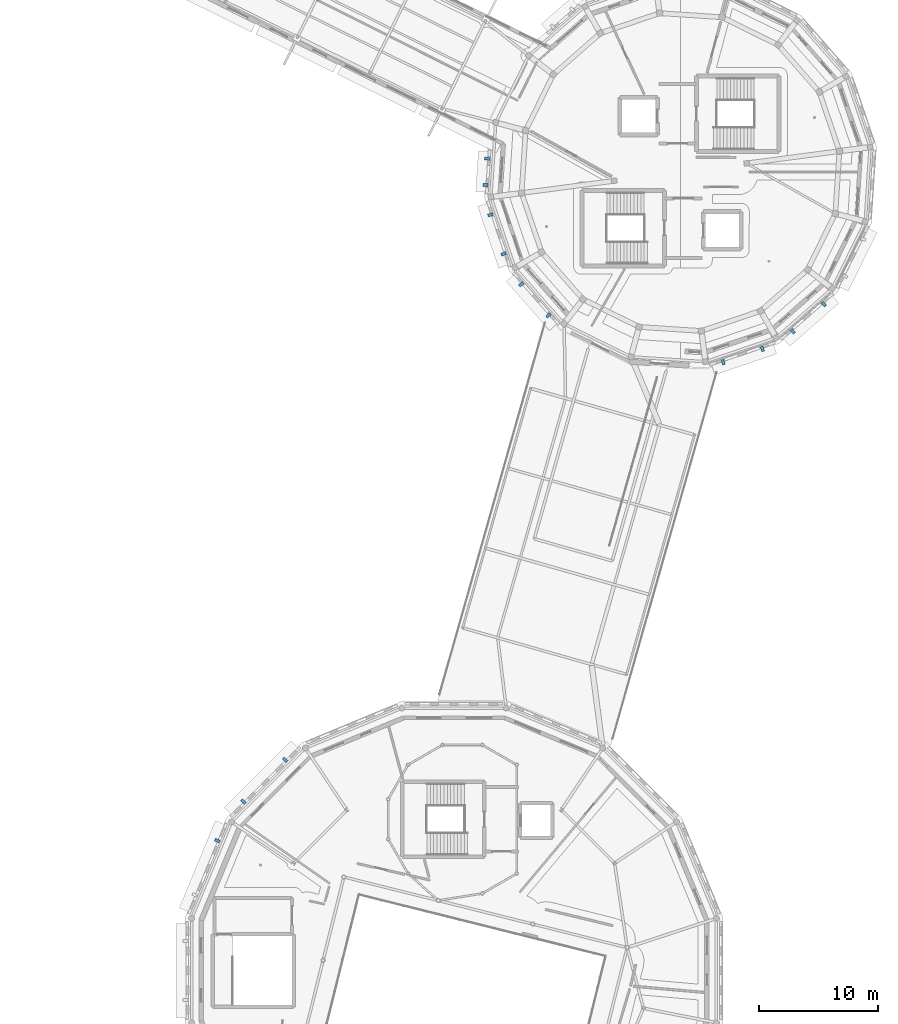
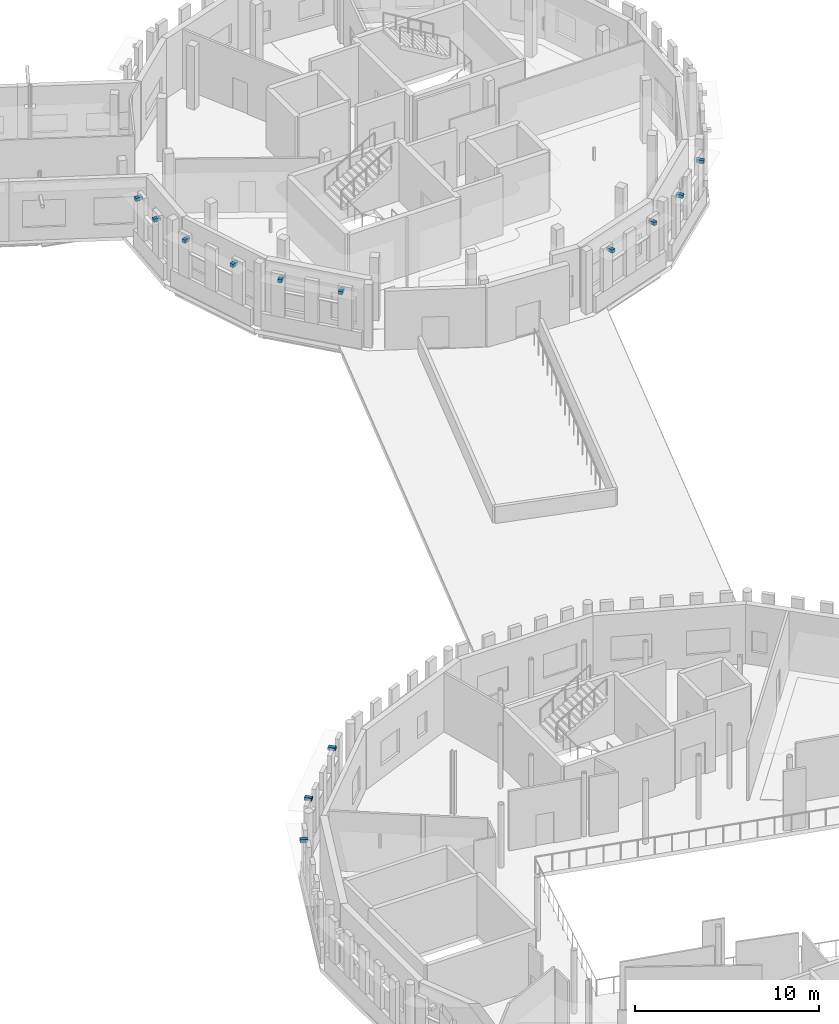
# One storey, part 61 of 68: 13 discrete accessories.
"""IFC4 building model written with IfcOpenShell, lengths in metres."""

import ifcopenshell
import ifcopenshell.guid

model = None  # the IFC model being written
_history = None  # IfcOwnerHistory: only IFC2X3 demands one
_inside = {}  # id of a spatial element -> (the spatial element, [elements in it])
_under = {}  # id of a project, library or spatial element -> (it, [spatial elements below it])
_declared = {}  # id of a project -> (the project, [libraries it declares])
_typed = {}  # id of a type object -> (the type object, [elements of that type])
_made_of = {}  # id of a material, layer set ... -> (it, [elements and type objects made of it])


def new_model(schema):
    """Start an empty IFC model of exactly this schema.

    Asked for "IFC4X3", IfcOpenShell would pick the latest addendum, in which some entities
    have other attributes; the version numbers below select the first issue.
    IFC2X3 requires an IfcOwnerHistory on every rooted entity: one is made here for all.
    """
    global model, _history
    if schema == "IFC4X3":
        model = ifcopenshell.file(schema_version=(4, 3, 0, 0))
    else:
        model = ifcopenshell.file(schema=schema)
    _inside.clear()
    _under.clear()
    _declared.clear()
    _typed.clear()
    _made_of.clear()
    _history = None
    if model.schema == "IFC2X3":
        org = make("IfcOrganization", Name="unknown")
        user = make(
            "IfcPersonAndOrganization",
            ThePerson=make("IfcPerson", FamilyName="unknown"),
            TheOrganization=org,
        )
        app = make(
            "IfcApplication",
            ApplicationDeveloper=org,
            Version="unknown",
            ApplicationFullName="unknown",
            ApplicationIdentifier="unknown",
        )
        _history = make(
            "IfcOwnerHistory",
            OwningUser=user,
            OwningApplication=app,
            ChangeAction="ADDED",
            CreationDate=0,
        )
    return model


def make(cls, **values):
    """One entity of the class cls with the attributes given. An attribute that is None is left unset."""
    return model.create_entity(
        cls, **{name: value for name, value in values.items() if value is not None}
    )


def rooted(cls, **values):
    """An entity with a GlobalId (a new one), such as an element, a storey or a relation."""
    return make(cls, GlobalId=ifcopenshell.guid.new(), OwnerHistory=_history, **values)


def si_unit(unit_type, name, prefix=None):
    """IfcSIUnit, for example si_unit("LENGTHUNIT", "METRE", prefix="MILLI")."""
    return make("IfcSIUnit", UnitType=unit_type, Prefix=prefix, Name=name)


def assignment(units):
    """IfcUnitAssignment: the units of a project."""
    return None if units is None else make("IfcUnitAssignment", Units=units)


def point(xyz):
    """IfcCartesianPoint."""
    return None if xyz is None else make("IfcCartesianPoint", Coordinates=xyz)


def direction(xyz):
    """IfcDirection."""
    return None if xyz is None else make("IfcDirection", DirectionRatios=xyz)


def frame(location, z_axis=None, x_axis=None):
    """IfcAxis2Placement3D, a coordinate frame: its origin and axes. An axis left out is left unset."""
    return make(
        "IfcAxis2Placement3D",
        Location=point(location),
        Axis=direction(z_axis),
        RefDirection=direction(x_axis),
    )


def frame_2d(location, x_axis=None):
    """IfcAxis2Placement2D, a coordinate frame in the plane: its origin and x axis."""
    return make(
        "IfcAxis2Placement2D", Location=point(location), RefDirection=direction(x_axis)
    )


def origin():
    """The frame at (0, 0, 0) with its axes left unset."""
    return frame((0.0, 0.0, 0.0))


def origin_2d():
    """The frame at (0, 0) in the plane with its x axis left unset."""
    return frame_2d((0.0, 0.0))


def place(relative_to, where):
    """IfcLocalPlacement: puts the frame where relative to a parent placement (None: the world)."""
    return make(
        "IfcLocalPlacement", PlacementRelTo=relative_to, RelativePlacement=where
    )


def context(
    kind, dimensions, precision=None, world=None, true_north=None, identifier=None
):
    """IfcGeometricRepresentationContext, for example the 3D "Model" context."""
    return make(
        "IfcGeometricRepresentationContext",
        ContextIdentifier=identifier,
        ContextType=kind,
        CoordinateSpaceDimension=dimensions,
        Precision=precision,
        WorldCoordinateSystem=world,
        TrueNorth=true_north,
    )


def subcontext(parent, identifier, kind, view, scale=None):
    """IfcGeometricRepresentationSubContext, for example "Body" below "Model"."""
    return make(
        "IfcGeometricRepresentationSubContext",
        ContextIdentifier=identifier,
        ContextType=kind,
        ParentContext=parent,
        TargetScale=scale,
        TargetView=view,
    )


def project(units=None, contexts=None):
    """IfcProject with its units and contexts."""
    return rooted(
        "IfcProject",
        Name="project",
        RepresentationContexts=contexts,
        UnitsInContext=assignment(units),
    )


def spatial(cls, under=None, at=None, **own):
    """A site, building, storey or space (cls), placed at a placement, below another one or the project."""
    s = rooted(cls, ObjectPlacement=at, **own)
    if under is not None:
        _under.setdefault(under.id(), (under, []))[1].append(s)
    return s


def profile(cls, at=None, kind="AREA", **sizes):
    """A parametric profile (cls). Its sizes go by their IFC names, for example OverallWidth=200.0."""
    return make(cls, ProfileType=kind, Position=at, **sizes)


def rectangle(**sizes):
    """IfcRectangleProfileDef."""
    return profile("IfcRectangleProfileDef", **sizes)


def extrude(swept, where, along, depth):
    """IfcExtrudedAreaSolid: the profile swept, set in the frame where, extruded along a direction by depth."""
    return make(
        "IfcExtrudedAreaSolid",
        SweptArea=swept,
        Position=where,
        ExtrudedDirection=direction(along),
        Depth=depth,
    )


def shape(context_of_items, identifier, shape_type, items):
    """IfcShapeRepresentation: the items that make up one representation, for example the "Body"."""
    return make(
        "IfcShapeRepresentation",
        ContextOfItems=context_of_items,
        RepresentationIdentifier=identifier,
        RepresentationType=shape_type,
        Items=items,
    )


def material(Name=None, Category=None):
    """IfcMaterial."""
    return make("IfcMaterial", Name=Name, Category=Category)


def made_of(thing, what):
    """Note that an element or type object is made of a material, layer set ...; save() writes the relation."""
    if what is not None:
        _made_of.setdefault(what.id(), (what, []))[1].append(thing)
    return thing


def type_object(cls, material=None, **own):
    """A type object (cls), such as IfcWallType, which elements share."""
    return made_of(rooted(cls, **own), material)


def element(
    cls,
    number,
    at=None,
    inside=None,
    cuts=None,
    type_object=None,
    material=None,
    context=None,
    identifier="Body",
    shape_type=None,
    held_by="IfcProductDefinitionShape",
    body=None,
    shapes=None,
    **own,
):
    """One element of the class cls, such as IfcWall. Its Tag is "e" and its number.

    at: its placement. inside: the storey or other place that contains it. cuts: it is an
    opening in that element (IfcRelVoidsElement). A single representation is given by context,
    identifier, shape_type and body (its items); several are given by shapes. held_by: the class
    of the entity that holds the representations. save() writes the other relations.
    """
    e = rooted(cls, Tag="e%d" % number, ObjectPlacement=at, **own)
    if body is not None:
        shapes = [shape(context, identifier, shape_type, body)]
    if shapes is not None:
        e.Representation = make(held_by, Representations=shapes)
    if inside is not None:
        _inside.setdefault(inside.id(), (inside, []))[1].append(e)
    if cuts is not None:
        rooted(
            "IfcRelVoidsElement", RelatingBuildingElement=cuts, RelatedOpeningElement=e
        )
    if type_object is not None:
        _typed.setdefault(type_object.id(), (type_object, []))[1].append(e)
    return made_of(e, material)


def aggregate(whole, parts):
    """IfcRelAggregates: a whole, such as a stair, and the parts it consists of."""
    return rooted("IfcRelAggregates", RelatingObject=whole, RelatedObjects=parts)


def save(model, path):
    """Write the relations noted so far, then the file.

    IfcRelAggregates (storeys below a building ...), IfcRelContainedInSpatialStructure (elements
    in a storey), IfcRelDefinesByType, IfcRelAssociatesMaterial and IfcRelDeclares: one each for
    every whole, place, type object, material and project.
    """
    for whole, parts in _under.values():
        aggregate(whole, parts)
    for where, things in _inside.values():
        rooted(
            "IfcRelContainedInSpatialStructure",
            RelatedElements=things,
            RelatingStructure=where,
        )
    for kind, things in _typed.values():
        rooted("IfcRelDefinesByType", RelatedObjects=things, RelatingType=kind)
    for what, things in _made_of.values():
        rooted("IfcRelAssociatesMaterial", RelatedObjects=things, RelatingMaterial=what)
    for by, libraries in _declared.values():
        rooted("IfcRelDeclares", RelatingContext=by, RelatedDefinitions=libraries)
    model.write(path)


model = new_model("IFC4")

# Units and contexts
model_context = context("Model", 3, precision=1e-05, world=origin(), true_north=direction((0.0, 1.0)))
body_context = subcontext(model_context, "Body", "Model", "MODEL_VIEW")
ifc_project = project(units=[si_unit("LENGTHUNIT", "METRE"), si_unit("AREAUNIT", "SQUARE_METRE"), si_unit("VOLUMEUNIT", "CUBIC_METRE"), si_unit("PLANEANGLEUNIT", "RADIAN"), si_unit("MASSUNIT", "GRAM", prefix="KILO")], contexts=[model_context])

# Site, building, storey
site_placement = place(None, origin())
site = spatial("IfcSite", under=ifc_project, at=site_placement, CompositionType="ELEMENT")
building_placement = place(site_placement, origin())
building = spatial("IfcBuilding", under=site, at=building_placement, Name="Wrenclough Park School", CompositionType="ELEMENT")
storey_placement = place(building_placement, frame((0.0, 0.0, 12.60009765625)))
storey = spatial("IfcBuildingStorey", under=building, at=storey_placement, Name="L03", CompositionType="ELEMENT", Elevation=12.60009765625)

# Discrete accessories
ifc_material = material(Name="Austenitic stainless steel Grade 1.4401", Category="steel")
discrete_accessory_type = type_object("IfcDiscreteAccessoryType", Name="ENV-BRK-01", PredefinedType="BRACKET", material=ifc_material)
for number, where, z_axis, x_axis, name in (
    (1, (141.30859375, 44.18212890625, 3.5400390625), (0.0, 0.0, 1.0), (-0.707106781187, -0.707106781187, 0.0), "Brise-soleil stainless outrigger bracket 0157"),
    (2, (137.8173828125, 40.69091796875, 3.5400390625), (0.0, 0.0, 1.0), (-0.707106781187, -0.707106781187, 0.0), "Brise-soleil stainless outrigger bracket 0158"),
    (3, (135.622314453125, 37.406005859375, 3.5400390625), (0.0, 0.0, 1.0), (-0.382684471717, -0.923879101997, 0.0), "Brise-soleil stainless outrigger bracket 0159"),
    (4, (158.27734375, 94.619384765625, 3.5400390625), (0.0, 0.0, 1.0), (-0.0653929205, -0.997859592302, 0.0), "Brise-soleil stainless outrigger bracket 0225"),
    (5, (158.1328125, 92.413818359375, 3.5400390625), (0.0, 0.0, 1.0), (-0.0653929205, -0.997859592302, 0.0), "Brise-soleil stainless outrigger bracket 0226"),
    (6, (158.544189453125, 89.915771484375, 3.5400390625), (0.0, 0.0, 1.0), (0.321426781293, -0.946934435041, 0.0), "Brise-soleil stainless outrigger bracket 0227"),
    (7, (159.659423828125, 86.630615234375, 3.5400390625), (0.0, 0.0, 1.0), (0.321426781293, -0.946934435041, 0.0), "Brise-soleil stainless outrigger bracket 0228"),
    (8, (161.13037109375, 84.082763671875, 3.5400390625), (0.0, 0.0, 1.0), (0.659346589381, -0.751839128452, 0.0), "Brise-soleil stainless outrigger bracket 0229"),
    (9, (163.417724609375, 81.474365234375, 3.5400390625), (0.0, 0.0, 1.0), (0.659346589381, -0.751839128452, 0.0), "Brise-soleil stainless outrigger bracket 0230"),
    (10, (178.084228515625, 77.544189453125, 3.5400390625), (0.0, 0.0, 1.0), (0.946934435041, 0.321426781293, 0.0), "Brise-soleil stainless outrigger bracket 0231"),
    (11, (181.369384765625, 78.659423828125, 3.5400390625), (0.0, 0.0, 1.0), (0.946934435041, 0.321426781293, 0.0), "Brise-soleil stainless outrigger bracket 0232"),
    (12, (183.917236328125, 80.13037109375, 3.5400390625), (0.0, 0.0, 1.0), (0.751839128452, 0.659346589381, 0.0), "Brise-soleil stainless outrigger bracket 0233"),
    (13, (186.525634765625, 82.417724609375, 3.5400390625), (0.0, 0.0, 1.0), (0.751839128452, 0.659346589381, 0.0), "Brise-soleil stainless outrigger bracket 0234"),
):
    element("IfcDiscreteAccessory", number, at=place(storey_placement, frame(where, z_axis=z_axis, x_axis=x_axis)), inside=storey, type_object=discrete_accessory_type, Name=name, PredefinedType="BRACKET", context=body_context, shape_type="SweptSolid", body=[
        extrude(rectangle(XDim=0.239990234375, YDim=0.419921875, at=origin_2d()), origin(), (0.0, 0.0, 1.0), 0.199951171875),
    ])

save(model, "model.ifc")
